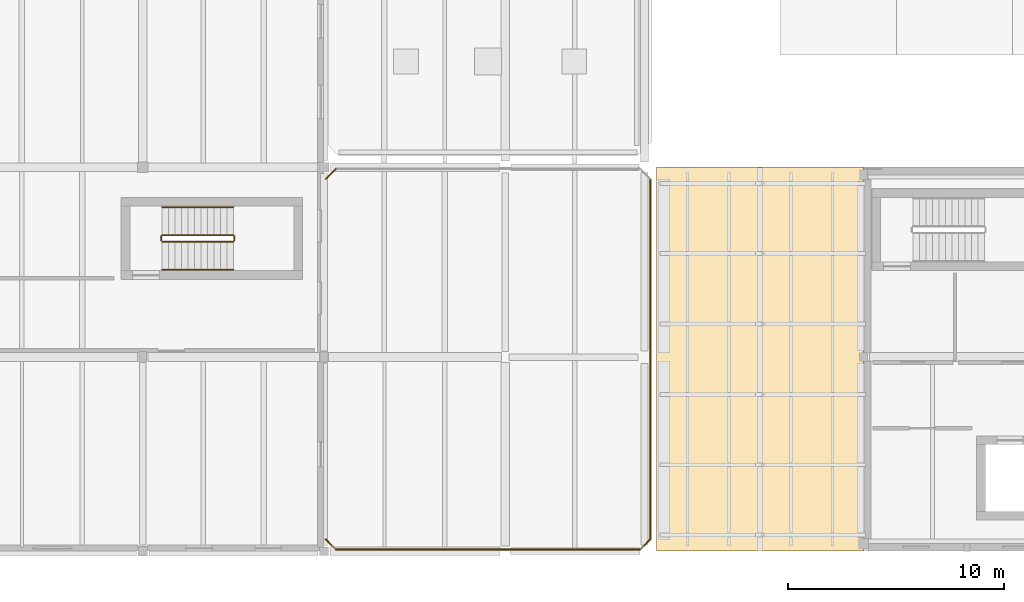
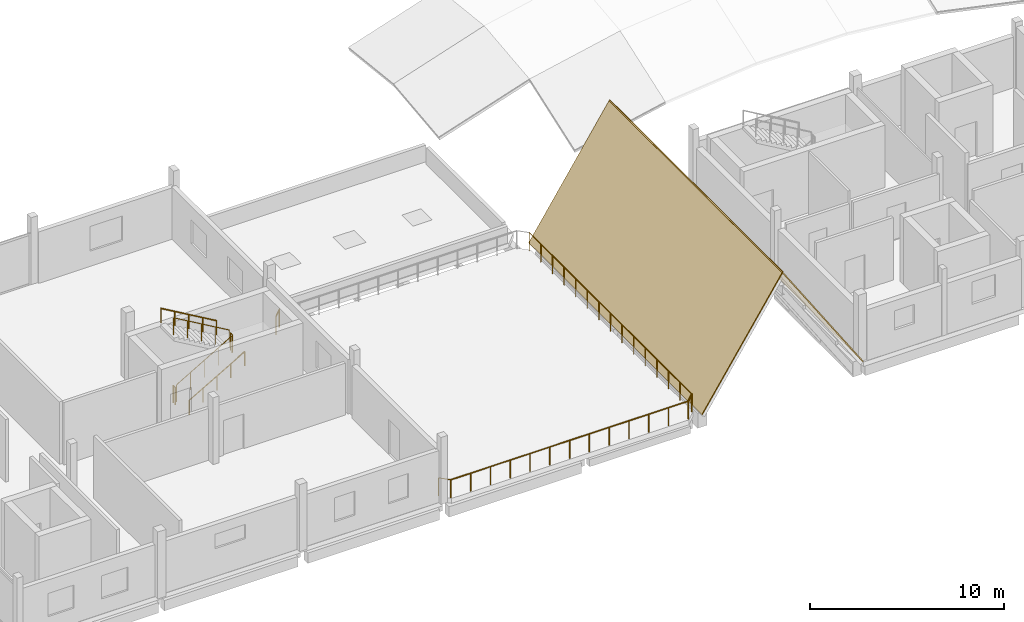
# One storey, part 27 of 35: 11 railings, 2 coverings.
"""IFC4 building model written with IfcOpenShell, lengths in metres."""

import ifcopenshell
import ifcopenshell.guid

model = None  # the IFC model being written
_history = None  # IfcOwnerHistory: only IFC2X3 demands one
_inside = {}  # id of a spatial element -> (the spatial element, [elements in it])
_under = {}  # id of a project, library or spatial element -> (it, [spatial elements below it])
_declared = {}  # id of a project -> (the project, [libraries it declares])
_typed = {}  # id of a type object -> (the type object, [elements of that type])
_made_of = {}  # id of a material, layer set ... -> (it, [elements and type objects made of it])


def new_model(schema):
    """Start an empty IFC model of exactly this schema.

    Asked for "IFC4X3", IfcOpenShell would pick the latest addendum, in which some entities
    have other attributes; the version numbers below select the first issue.
    IFC2X3 requires an IfcOwnerHistory on every rooted entity: one is made here for all.
    """
    global model, _history
    if schema == "IFC4X3":
        model = ifcopenshell.file(schema_version=(4, 3, 0, 0))
    else:
        model = ifcopenshell.file(schema=schema)
    _inside.clear()
    _under.clear()
    _declared.clear()
    _typed.clear()
    _made_of.clear()
    _history = None
    if model.schema == "IFC2X3":
        org = make("IfcOrganization", Name="unknown")
        user = make(
            "IfcPersonAndOrganization",
            ThePerson=make("IfcPerson", FamilyName="unknown"),
            TheOrganization=org,
        )
        app = make(
            "IfcApplication",
            ApplicationDeveloper=org,
            Version="unknown",
            ApplicationFullName="unknown",
            ApplicationIdentifier="unknown",
        )
        _history = make(
            "IfcOwnerHistory",
            OwningUser=user,
            OwningApplication=app,
            ChangeAction="ADDED",
            CreationDate=0,
        )
    return model


def make(cls, **values):
    """One entity of the class cls with the attributes given. An attribute that is None is left unset."""
    return model.create_entity(
        cls, **{name: value for name, value in values.items() if value is not None}
    )


def rooted(cls, **values):
    """An entity with a GlobalId (a new one), such as an element, a storey or a relation."""
    return make(cls, GlobalId=ifcopenshell.guid.new(), OwnerHistory=_history, **values)


def si_unit(unit_type, name, prefix=None):
    """IfcSIUnit, for example si_unit("LENGTHUNIT", "METRE", prefix="MILLI")."""
    return make("IfcSIUnit", UnitType=unit_type, Prefix=prefix, Name=name)


def assignment(units):
    """IfcUnitAssignment: the units of a project."""
    return None if units is None else make("IfcUnitAssignment", Units=units)


def point(xyz):
    """IfcCartesianPoint."""
    return None if xyz is None else make("IfcCartesianPoint", Coordinates=xyz)


def direction(xyz):
    """IfcDirection."""
    return None if xyz is None else make("IfcDirection", DirectionRatios=xyz)


def frame(location, z_axis=None, x_axis=None):
    """IfcAxis2Placement3D, a coordinate frame: its origin and axes. An axis left out is left unset."""
    return make(
        "IfcAxis2Placement3D",
        Location=point(location),
        Axis=direction(z_axis),
        RefDirection=direction(x_axis),
    )


def frame_2d(location, x_axis=None):
    """IfcAxis2Placement2D, a coordinate frame in the plane: its origin and x axis."""
    return make(
        "IfcAxis2Placement2D", Location=point(location), RefDirection=direction(x_axis)
    )


def origin():
    """The frame at (0, 0, 0) with its axes left unset."""
    return frame((0.0, 0.0, 0.0))


def origin_2d():
    """The frame at (0, 0) in the plane with its x axis left unset."""
    return frame_2d((0.0, 0.0))


def place(relative_to, where):
    """IfcLocalPlacement: puts the frame where relative to a parent placement (None: the world)."""
    return make(
        "IfcLocalPlacement", PlacementRelTo=relative_to, RelativePlacement=where
    )


def context(
    kind, dimensions, precision=None, world=None, true_north=None, identifier=None
):
    """IfcGeometricRepresentationContext, for example the 3D "Model" context."""
    return make(
        "IfcGeometricRepresentationContext",
        ContextIdentifier=identifier,
        ContextType=kind,
        CoordinateSpaceDimension=dimensions,
        Precision=precision,
        WorldCoordinateSystem=world,
        TrueNorth=true_north,
    )


def subcontext(parent, identifier, kind, view, scale=None):
    """IfcGeometricRepresentationSubContext, for example "Body" below "Model"."""
    return make(
        "IfcGeometricRepresentationSubContext",
        ContextIdentifier=identifier,
        ContextType=kind,
        ParentContext=parent,
        TargetScale=scale,
        TargetView=view,
    )


def project(units=None, contexts=None):
    """IfcProject with its units and contexts."""
    return rooted(
        "IfcProject",
        Name="project",
        RepresentationContexts=contexts,
        UnitsInContext=assignment(units),
    )


def spatial(cls, under=None, at=None, **own):
    """A site, building, storey or space (cls), placed at a placement, below another one or the project."""
    s = rooted(cls, ObjectPlacement=at, **own)
    if under is not None:
        _under.setdefault(under.id(), (under, []))[1].append(s)
    return s


def polyline(points):
    """IfcPolyline through the points."""
    return make("IfcPolyline", Points=[point(p) for p in points])


def profile(cls, at=None, kind="AREA", **sizes):
    """A parametric profile (cls). Its sizes go by their IFC names, for example OverallWidth=200.0."""
    return make(cls, ProfileType=kind, Position=at, **sizes)


def circle(**sizes):
    """IfcCircleProfileDef."""
    return profile("IfcCircleProfileDef", **sizes)


def outline(outer, holes=None, kind="AREA"):
    """IfcArbitraryClosedProfileDef: a profile drawn as a closed curve; with holes, ...WithVoids."""
    if holes is None:
        return make("IfcArbitraryClosedProfileDef", ProfileType=kind, OuterCurve=outer)
    return make(
        "IfcArbitraryProfileDefWithVoids",
        ProfileType=kind,
        OuterCurve=outer,
        InnerCurves=holes,
    )


def extrude(swept, where, along, depth):
    """IfcExtrudedAreaSolid: the profile swept, set in the frame where, extruded along a direction by depth."""
    return make(
        "IfcExtrudedAreaSolid",
        SweptArea=swept,
        Position=where,
        ExtrudedDirection=direction(along),
        Depth=depth,
    )


def shape(context_of_items, identifier, shape_type, items):
    """IfcShapeRepresentation: the items that make up one representation, for example the "Body"."""
    return make(
        "IfcShapeRepresentation",
        ContextOfItems=context_of_items,
        RepresentationIdentifier=identifier,
        RepresentationType=shape_type,
        Items=items,
    )


def material(Name=None, Category=None):
    """IfcMaterial."""
    return make("IfcMaterial", Name=Name, Category=Category)


def layer(
    of_material, thickness, ventilated=None, Name=None, Category=None, Priority=None
):
    """IfcMaterialLayer: one layer of a wall or slab, of a material (None: an air gap)."""
    return make(
        "IfcMaterialLayer",
        Material=of_material,
        LayerThickness=thickness,
        IsVentilated=ventilated,
        Name=Name,
        Category=Category,
        Priority=Priority,
    )


def layer_set(layers, Name=None):
    """IfcMaterialLayerSet."""
    return make("IfcMaterialLayerSet", MaterialLayers=layers, LayerSetName=Name)


def made_of(thing, what):
    """Note that an element or type object is made of a material, layer set ...; save() writes the relation."""
    if what is not None:
        _made_of.setdefault(what.id(), (what, []))[1].append(thing)
    return thing


def type_object(cls, material=None, **own):
    """A type object (cls), such as IfcWallType, which elements share."""
    return made_of(rooted(cls, **own), material)


def element(
    cls,
    number,
    at=None,
    inside=None,
    cuts=None,
    type_object=None,
    material=None,
    context=None,
    identifier="Body",
    shape_type=None,
    held_by="IfcProductDefinitionShape",
    body=None,
    shapes=None,
    **own,
):
    """One element of the class cls, such as IfcWall. Its Tag is "e" and its number.

    at: its placement. inside: the storey or other place that contains it. cuts: it is an
    opening in that element (IfcRelVoidsElement). A single representation is given by context,
    identifier, shape_type and body (its items); several are given by shapes. held_by: the class
    of the entity that holds the representations. save() writes the other relations.
    """
    e = rooted(cls, Tag="e%d" % number, ObjectPlacement=at, **own)
    if body is not None:
        shapes = [shape(context, identifier, shape_type, body)]
    if shapes is not None:
        e.Representation = make(held_by, Representations=shapes)
    if inside is not None:
        _inside.setdefault(inside.id(), (inside, []))[1].append(e)
    if cuts is not None:
        rooted(
            "IfcRelVoidsElement", RelatingBuildingElement=cuts, RelatedOpeningElement=e
        )
    if type_object is not None:
        _typed.setdefault(type_object.id(), (type_object, []))[1].append(e)
    return made_of(e, material)


def aggregate(whole, parts):
    """IfcRelAggregates: a whole, such as a stair, and the parts it consists of."""
    return rooted("IfcRelAggregates", RelatingObject=whole, RelatedObjects=parts)


def save(model, path):
    """Write the relations noted so far, then the file.

    IfcRelAggregates (storeys below a building ...), IfcRelContainedInSpatialStructure (elements
    in a storey), IfcRelDefinesByType, IfcRelAssociatesMaterial and IfcRelDeclares: one each for
    every whole, place, type object, material and project.
    """
    for whole, parts in _under.values():
        aggregate(whole, parts)
    for where, things in _inside.values():
        rooted(
            "IfcRelContainedInSpatialStructure",
            RelatedElements=things,
            RelatingStructure=where,
        )
    for kind, things in _typed.values():
        rooted("IfcRelDefinesByType", RelatedObjects=things, RelatingType=kind)
    for what, things in _made_of.values():
        rooted("IfcRelAssociatesMaterial", RelatedObjects=things, RelatingMaterial=what)
    for by, libraries in _declared.values():
        rooted("IfcRelDeclares", RelatingContext=by, RelatedDefinitions=libraries)
    model.write(path)


model = new_model("IFC4")

# Units and contexts
model_context = context("Model", 3, precision=1e-05, world=origin(), true_north=direction((0.0, 1.0)))
body_context = subcontext(model_context, "Body", "Model", "MODEL_VIEW")
ifc_project = project(units=[si_unit("LENGTHUNIT", "METRE"), si_unit("AREAUNIT", "SQUARE_METRE"), si_unit("VOLUMEUNIT", "CUBIC_METRE"), si_unit("PLANEANGLEUNIT", "RADIAN"), si_unit("MASSUNIT", "GRAM", prefix="KILO")], contexts=[model_context])

# Site, building, storey
site_placement = place(None, origin())
site = spatial("IfcSite", under=ifc_project, at=site_placement, CompositionType="ELEMENT")
building_placement = place(site_placement, origin())
building = spatial("IfcBuilding", under=site, at=building_placement, Name="Birchvale Park Specialist Clinic", CompositionType="ELEMENT")
storey_placement = place(building_placement, frame((0.0, 0.0, 13.800048828125)))
storey = spatial("IfcBuildingStorey", under=building, at=storey_placement, Name="L03", CompositionType="ELEMENT", Elevation=13.800048828125)

# Coverings
ifc_material_1 = material(Name="Standing-seam titanium-zinc roofing")
ifc_layer = layer(ifc_material_1, 0.06005859375)
ifc_layer_set = layer_set([ifc_layer], Name="Standing-seam titanium-zinc roofing")
covering_type = type_object("IfcCoveringType", Name="COV-RF1", PredefinedType="ROOFING", material=ifc_layer_set)
covering_1_placement = place(storey_placement, frame((51.800048828125, 16.800048828125, 0.06005859375), z_axis=(-0.835546045091, 0.0, 0.549420427844), x_axis=(0.549420427844, 0.0, 0.835546045091)))
element("IfcCovering", 1, at=covering_1_placement, inside=storey, type_object=covering_type, Name="L03 standing-seam zinc roof V4-B1 W", PredefinedType="ROOFING", context=body_context, shape_type="SweptSolid", body=[
    extrude(outline(polyline([(0.0, 0.0), (8.7365678174001, 0.0), (8.7365678174001, 17.800048828125004), (0.0, 17.800048828125004), (0.0, 0.0)])), origin(), (0.0, 0.0, -1.0), 0.06005859375),
])
covering_2_placement = place(storey_placement, frame((56.60009765625, 16.800048828125, 7.35986328125), z_axis=(0.835558873516, 0.0, 0.549400918172), x_axis=(0.549400918172, 0.0, -0.835558873516)))
element("IfcCovering", 2, at=covering_2_placement, inside=storey, type_object=covering_type, Name="L03 standing-seam zinc roof V4-B1 E", PredefinedType="ROOFING", context=body_context, shape_type="SweptSolid", body=[
    extrude(outline(polyline([(0.0, 0.0), (8.736433683934992, 0.0), (8.736433683934992, 17.800048828125), (0.0, 17.800048828125), (0.0, 0.0)])), origin(), (0.0, 0.0, -1.0), 0.06005859375),
])

# Railings
ifc_material_2 = material(Name="Brushed stainless steel and laminated glass balustrade", Category="steel")
railing_type_1 = type_object("IfcRailingType", Name="RL-BAL2", PredefinedType="BALUSTRADE", material=ifc_material_2)
railing_1_placement = place(storey_placement, frame((36.949951171875, 16.8798828125, 0.0)))
element("IfcRailing", 3, at=railing_1_placement, inside=storey, type_object=railing_type_1, Name="V2 L03 roof terrace guard balustrade 24", PredefinedType="BALUSTRADE", context=body_context, shape_type="SweptSolid", body=[
    extrude(circle(Radius=0.02392578125, at=origin_2d()), frame((0.0, 0.0, 1.1259765625), z_axis=(1.0, 0.0, 0.0), x_axis=(0.0, 1.0, 0.0)), (0.0, 0.0, 1.0), 14.10009765625),
    extrude(circle(Radius=0.02099609375, at=origin_2d()), origin(), (0.0, 0.0, 1.0), 1.101806640625),
    extrude(circle(Radius=0.02099609375, at=origin_2d()), frame((1.175048828125, 0.0, 0.0)), (0.0, 0.0, 1.0), 1.101806640625),
    extrude(circle(Radius=0.02099609375, at=origin_2d()), frame((2.35009765625, 0.0, 0.0)), (0.0, 0.0, 1.0), 1.101806640625),
    extrude(circle(Radius=0.02099609375, at=origin_2d()), frame((3.52490234375, 0.0, 0.0)), (0.0, 0.0, 1.0), 1.101806640625),
    extrude(circle(Radius=0.02099609375, at=origin_2d()), frame((4.699951171875, 0.0, 0.0)), (0.0, 0.0, 1.0), 1.101806640625),
    extrude(circle(Radius=0.02099609375, at=origin_2d()), frame((5.875, 0.0, 0.0)), (0.0, 0.0, 1.0), 1.101806640625),
    extrude(circle(Radius=0.02099609375, at=origin_2d()), frame((7.050048828125, 0.0, 0.0)), (0.0, 0.0, 1.0), 1.101806640625),
    extrude(circle(Radius=0.02099609375, at=origin_2d()), frame((8.22509765625, 0.0, 0.0)), (0.0, 0.0, 1.0), 1.101806640625),
    extrude(circle(Radius=0.02099609375, at=origin_2d()), frame((9.400146484375, 0.0, 0.0)), (0.0, 0.0, 1.0), 1.101806640625),
    extrude(circle(Radius=0.02099609375, at=origin_2d()), frame((10.5751953125, 0.0, 0.0)), (0.0, 0.0, 1.0), 1.101806640625),
    extrude(circle(Radius=0.02099609375, at=origin_2d()), frame((11.75, 0.0, 0.0)), (0.0, 0.0, 1.0), 1.101806640625),
    extrude(circle(Radius=0.02099609375, at=origin_2d()), frame((12.925048828125, 0.0, 0.0)), (0.0, 0.0, 1.0), 1.101806640625),
    extrude(circle(Radius=0.02099609375, at=origin_2d()), frame((14.10009765625, 0.0, 0.0)), (0.0, 0.0, 1.0), 1.101806640625),
])
railing_2_placement = place(storey_placement, frame((51.050048828125, 16.8798828125, 0.0)))
element("IfcRailing", 4, at=railing_2_placement, inside=storey, type_object=railing_type_1, Name="V2 L03 roof terrace guard balustrade 25", PredefinedType="BALUSTRADE", context=body_context, shape_type="SweptSolid", body=[
    extrude(circle(Radius=0.02392578125, at=origin_2d()), frame((0.0, 0.0, 1.1259765625), z_axis=(0.706923140946, 0.707290373747, 0.0), x_axis=(-0.707290373747, 0.706923140946, 0.0)), (0.0, 0.0, 1.0), 0.664794921875),
    extrude(circle(Radius=0.02099609375, at=origin_2d()), origin(), (0.0, 0.0, 1.0), 1.101806640625),
    extrude(circle(Radius=0.02099609375, at=origin_2d()), frame((0.469970703125, 0.47021484375, 0.0)), (0.0, 0.0, 1.0), 1.101806640625),
])
railing_3_placement = place(storey_placement, frame((51.52001953125, 17.35009765625, 0.0)))
element("IfcRailing", 5, at=railing_3_placement, inside=storey, type_object=railing_type_1, Name="V2 L03 roof terrace guard balustrade 26", PredefinedType="BALUSTRADE", context=body_context, shape_type="SweptSolid", body=[
    extrude(circle(Radius=0.02392578125, at=origin_2d()), frame((0.0, 0.0, 1.1259765625), z_axis=(0.0, 1.0, 0.0), x_axis=(-1.0, 0.0, 0.0)), (0.0, 0.0, 1.0), 16.699951171875),
    extrude(circle(Radius=0.02099609375, at=origin_2d()), origin(), (0.0, 0.0, 1.0), 1.101806640625),
    extrude(circle(Radius=0.02099609375, at=origin_2d()), frame((0.0, 1.19287109375, 0.0)), (0.0, 0.0, 1.0), 1.101806640625),
    extrude(circle(Radius=0.02099609375, at=origin_2d()), frame((0.0, 2.3857421875, 0.0)), (0.0, 0.0, 1.0), 1.101806640625),
    extrude(circle(Radius=0.02099609375, at=origin_2d()), frame((0.0, 3.57861328125, 0.0)), (0.0, 0.0, 1.0), 1.101806640625),
    extrude(circle(Radius=0.02099609375, at=origin_2d()), frame((0.0, 4.771484375, 0.0)), (0.0, 0.0, 1.0), 1.101806640625),
    extrude(circle(Radius=0.02099609375, at=origin_2d()), frame((0.0, 5.96435546875, 0.0)), (0.0, 0.0, 1.0), 1.101806640625),
    extrude(circle(Radius=0.02099609375, at=origin_2d()), frame((0.0, 7.1572265625, 0.0)), (0.0, 0.0, 1.0), 1.101806640625),
    extrude(circle(Radius=0.02099609375, at=origin_2d()), frame((0.0, 8.35009765625, 0.0)), (0.0, 0.0, 1.0), 1.101806640625),
    extrude(circle(Radius=0.02099609375, at=origin_2d()), frame((0.0, 9.542724609375, 0.0)), (0.0, 0.0, 1.0), 1.101806640625),
    extrude(circle(Radius=0.02099609375, at=origin_2d()), frame((0.0, 10.735595703125, 0.0)), (0.0, 0.0, 1.0), 1.101806640625),
    extrude(circle(Radius=0.02099609375, at=origin_2d()), frame((0.0, 11.928466796875, 0.0)), (0.0, 0.0, 1.0), 1.101806640625),
    extrude(circle(Radius=0.02099609375, at=origin_2d()), frame((0.0, 13.121337890625, 0.0)), (0.0, 0.0, 1.0), 1.101806640625),
    extrude(circle(Radius=0.02099609375, at=origin_2d()), frame((0.0, 14.314208984375, 0.0)), (0.0, 0.0, 1.0), 1.101806640625),
    extrude(circle(Radius=0.02099609375, at=origin_2d()), frame((0.0, 15.507080078125, 0.0)), (0.0, 0.0, 1.0), 1.101806640625),
    extrude(circle(Radius=0.02099609375, at=origin_2d()), frame((0.0, 16.699951171875, 0.0)), (0.0, 0.0, 1.0), 1.101806640625),
])
railing_4_placement = place(storey_placement, frame((36.949951171875, 34.52001953125, 0.0)))
element("IfcRailing", 6, at=railing_4_placement, inside=storey, type_object=railing_type_1, Name="V2 L03 roof terrace guard balustrade 29", PredefinedType="BALUSTRADE", context=body_context, shape_type="SweptSolid", body=[
    extrude(circle(Radius=0.02392578125, at=origin_2d()), frame((0.0, 0.0, 1.1259765625), z_axis=(-0.707106781187, -0.707106781187, 0.0), x_axis=(0.707106781187, -0.707106781187, 0.0)), (0.0, 0.0, 1.0), 0.66455078125),
    extrude(circle(Radius=0.02099609375, at=origin_2d()), origin(), (0.0, 0.0, 1.0), 1.101806640625),
    extrude(circle(Radius=0.02099609375, at=origin_2d()), frame((-0.469970703125, -0.469970703125, 0.0)), (0.0, 0.0, 1.0), 1.101806640625),
])
railing_5_placement = place(storey_placement, frame((36.47998046875, 17.35009765625, 0.0)))
element("IfcRailing", 7, at=railing_5_placement, inside=storey, type_object=railing_type_1, Name="V2 L03 roof terrace guard balustrade 30", PredefinedType="BALUSTRADE", context=body_context, shape_type="SweptSolid", body=[
    extrude(circle(Radius=0.02392578125, at=origin_2d()), frame((0.0, 0.0, 1.1259765625), z_axis=(0.706923140946, -0.707290373747, 0.0), x_axis=(0.707290373747, 0.706923140946, 0.0)), (0.0, 0.0, 1.0), 0.664794921875),
    extrude(circle(Radius=0.02099609375, at=origin_2d()), origin(), (0.0, 0.0, 1.0), 1.101806640625),
    extrude(circle(Radius=0.02099609375, at=origin_2d()), frame((0.469970703125, -0.47021484375, 0.0)), (0.0, 0.0, 1.0), 1.101806640625),
])
ifc_material_3 = material(Name="Brushed stainless steel guard railing", Category="steel")
railing_type_2 = type_object("IfcRailingType", Name="RL-GRD1", PredefinedType="GUARDRAIL", material=ifc_material_3)
railing_6_placement = place(storey_placement, frame((28.89990234375, 31.14990234375, 0.175048828125)))
element("IfcRailing", 8, at=railing_6_placement, inside=storey, type_object=railing_type_2, Name="L03 ST2 stair guard 1", PredefinedType="GUARDRAIL", context=body_context, shape_type="SweptSolid", body=[
    extrude(circle(Radius=0.02392578125, at=origin_2d()), frame((0.0, 0.0, 1.076171875), z_axis=(0.863804395585, 0.0, 0.503827317807), x_axis=(0.0, 1.0, 0.0)), (0.0, 0.0, 1.0), 3.8203125),
    extrude(circle(Radius=0.02099609375, at=origin_2d()), origin(), (0.0, 0.0, 1.0), 1.052001953125),
    extrude(circle(Radius=0.02099609375, at=origin_2d()), frame((0.824951171875, 0.0, 0.481201171875)), (0.0, 0.0, 1.0), 1.052001953125),
    extrude(circle(Radius=0.02099609375, at=origin_2d()), frame((1.64990234375, 0.0, 0.96240234375)), (0.0, 0.0, 1.0), 1.052001953125),
    extrude(circle(Radius=0.02099609375, at=origin_2d()), frame((2.47509765625, 0.0, 1.443603515625)), (0.0, 0.0, 1.0), 1.052001953125),
    extrude(circle(Radius=0.02099609375, at=origin_2d()), frame((3.300048828125, 0.0, 1.9248046875)), (0.0, 0.0, 1.0), 1.052001953125),
])
railing_7_placement = place(storey_placement, frame((32.25, 31.199951171875, 2.099853515625)))
element("IfcRailing", 9, at=railing_7_placement, inside=storey, type_object=railing_type_2, Name="L03 ST2 stair guard 2", PredefinedType="GUARDRAIL", context=body_context, shape_type="SweptSolid", body=[
    extrude(circle(Radius=0.02392578125, at=origin_2d()), frame((0.0, 0.0, 1.076171875), z_axis=(0.0, 1.0, 0.0), x_axis=(-1.0, 0.0, 0.0)), (0.0, 0.0, 1.0), 0.199951171875),
    extrude(circle(Radius=0.02099609375, at=origin_2d()), origin(), (0.0, 0.0, 1.0), 1.052001953125),
    extrude(circle(Radius=0.02099609375, at=origin_2d()), frame((0.0, 0.199951171875, 0.0)), (0.0, 0.0, 1.0), 1.052001953125),
])
railing_8_placement = place(storey_placement, frame((32.199951171875, 31.449951171875, 2.27490234375)))
element("IfcRailing", 10, at=railing_8_placement, inside=storey, type_object=railing_type_2, Name="L03 ST2 stair guard 3", PredefinedType="GUARDRAIL", context=body_context, shape_type="SweptSolid", body=[
    extrude(circle(Radius=0.02392578125, at=origin_2d()), frame((0.0, 0.0, 1.076171875), z_axis=(-0.863776583165, 0.0, 0.503874998761), x_axis=(0.0, -1.0, 0.0)), (0.0, 0.0, 1.0), 3.820556640625),
    extrude(circle(Radius=0.02099609375, at=origin_2d()), origin(), (0.0, 0.0, 1.0), 1.052001953125),
    extrude(circle(Radius=0.02099609375, at=origin_2d()), frame((-0.824951171875, 0.0, 0.481201171875)), (0.0, 0.0, 1.0), 1.052001953125),
    extrude(circle(Radius=0.02099609375, at=origin_2d()), frame((-1.64990234375, 0.0, 0.96240234375)), (0.0, 0.0, 1.0), 1.052001953125),
    extrude(circle(Radius=0.02099609375, at=origin_2d()), frame((-2.47509765625, 0.0, 1.44384765625)), (0.0, 0.0, 1.0), 1.052001953125),
    extrude(circle(Radius=0.02099609375, at=origin_2d()), frame((-3.300048828125, 0.0, 1.925048828125)), (0.0, 0.0, 1.0), 1.052001953125),
])
railing_9_placement = place(storey_placement, frame((28.85009765625, 31.199951171875, 0.0)))
element("IfcRailing", 11, at=railing_9_placement, inside=storey, type_object=railing_type_2, Name="L03 ST2 stair guard 4", PredefinedType="GUARDRAIL", context=body_context, shape_type="SweptSolid", body=[
    extrude(circle(Radius=0.02392578125, at=origin_2d()), frame((0.0, 0.0, 1.076171875), z_axis=(0.0, 1.0, 0.0), x_axis=(-1.0, 0.0, 0.0)), (0.0, 0.0, 1.0), 0.199951171875),
    extrude(circle(Radius=0.02099609375, at=origin_2d()), origin(), (0.0, 0.0, 1.0), 1.052001953125),
    extrude(circle(Radius=0.02099609375, at=origin_2d()), frame((0.0, 0.199951171875, 0.0)), (0.0, 0.0, 1.0), 1.052001953125),
])
ifc_material_4 = material(Name="Anodised aluminium handrail", Category="aluminium")
railing_type_3 = type_object("IfcRailingType", Name="RL-HND1", PredefinedType="HANDRAIL", material=ifc_material_4)
railing_10_placement = place(storey_placement, frame((28.89990234375, 29.85009765625, 0.175048828125)))
element("IfcRailing", 12, at=railing_10_placement, inside=storey, type_object=railing_type_3, Name="L03 ST2 stair handrail 1", PredefinedType="HANDRAIL", context=body_context, shape_type="SweptSolid", body=[
    extrude(circle(Radius=0.02392578125, at=origin_2d()), frame((0.0, 0.0, 0.8759765625), z_axis=(0.863804395585, 0.0, 0.503827317807), x_axis=(0.0, 1.0, 0.0)), (0.0, 0.0, 1.0), 3.8203125),
    extrude(circle(Radius=0.02099609375, at=origin_2d()), origin(), (0.0, 0.0, 1.0), 0.851806640625),
    extrude(circle(Radius=0.02099609375, at=origin_2d()), frame((0.824951171875, 0.0, 0.481201171875)), (0.0, 0.0, 1.0), 0.851806640625),
    extrude(circle(Radius=0.02099609375, at=origin_2d()), frame((1.64990234375, 0.0, 0.96240234375)), (0.0, 0.0, 1.0), 0.851806640625),
    extrude(circle(Radius=0.02099609375, at=origin_2d()), frame((2.47509765625, 0.0, 1.443603515625)), (0.0, 0.0, 1.0), 0.851806640625),
    extrude(circle(Radius=0.02099609375, at=origin_2d()), frame((3.300048828125, 0.0, 1.9248046875)), (0.0, 0.0, 1.0), 0.851806640625),
])
railing_11_placement = place(storey_placement, frame((32.199951171875, 32.75, 2.27490234375)))
element("IfcRailing", 13, at=railing_11_placement, inside=storey, type_object=railing_type_3, Name="L03 ST2 stair handrail 2", PredefinedType="HANDRAIL", context=body_context, shape_type="SweptSolid", body=[
    extrude(circle(Radius=0.02392578125, at=origin_2d()), frame((0.0, 0.0, 0.8759765625), z_axis=(-0.863776583165, 0.0, 0.503874998761), x_axis=(0.0, -1.0, 0.0)), (0.0, 0.0, 1.0), 3.820556640625),
    extrude(circle(Radius=0.02099609375, at=origin_2d()), origin(), (0.0, 0.0, 1.0), 0.851806640625),
    extrude(circle(Radius=0.02099609375, at=origin_2d()), frame((-0.824951171875, 0.0, 0.481201171875)), (0.0, 0.0, 1.0), 0.851806640625),
    extrude(circle(Radius=0.02099609375, at=origin_2d()), frame((-1.64990234375, 0.0, 0.96240234375)), (0.0, 0.0, 1.0), 0.851806640625),
    extrude(circle(Radius=0.02099609375, at=origin_2d()), frame((-2.47509765625, 0.0, 1.44384765625)), (0.0, 0.0, 1.0), 0.851806640625),
    extrude(circle(Radius=0.02099609375, at=origin_2d()), frame((-3.300048828125, 0.0, 1.925048828125)), (0.0, 0.0, 1.0), 0.851806640625),
])

save(model, "model.ifc")
